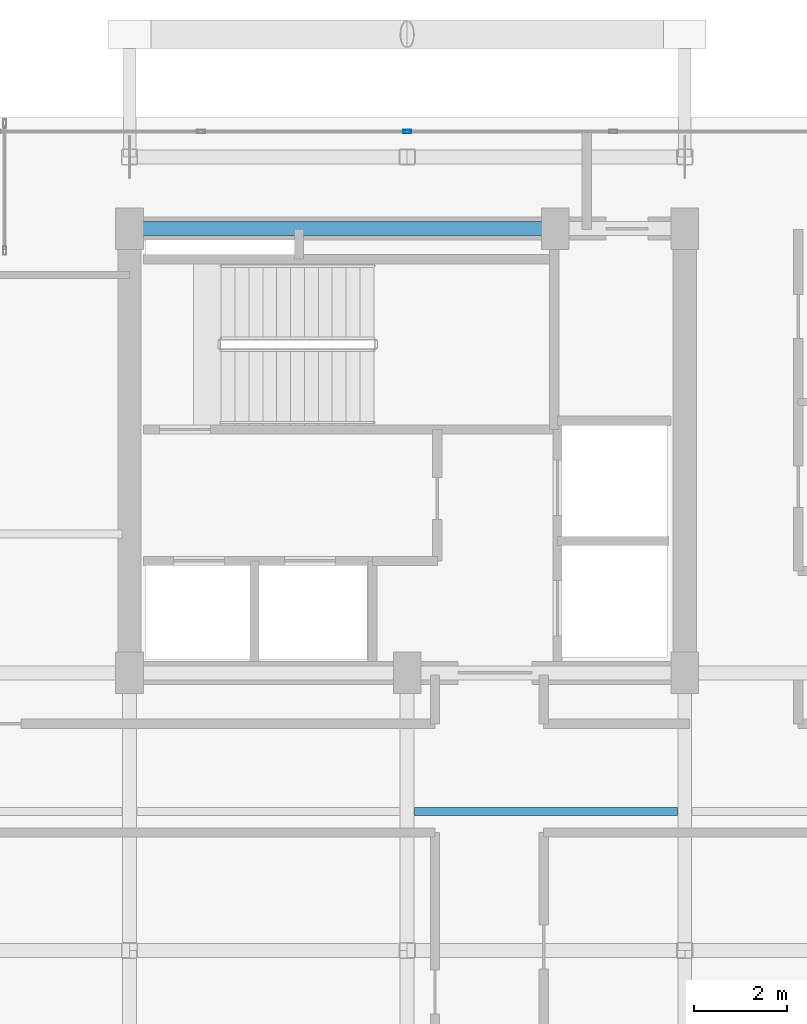
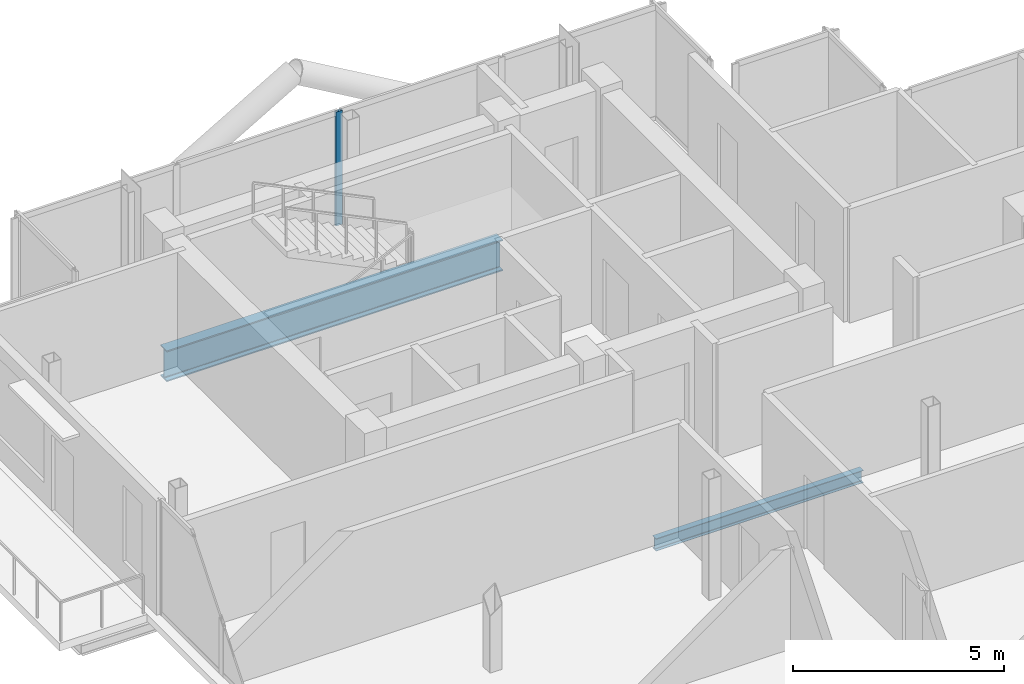
# One storey, part 9 of 19: 2 beams, 1 member, 1 element without a shape of its own.
"""IFC4 building model written with IfcOpenShell, lengths in metres."""

from ifc_helpers import new_model, si_unit, direction, frame, origin, origin_2d, place, context, subcontext, project, spatial, hollow_rectangle, i_section, extrude, material, layer, layer_set, material_profile, profile_set, type_object, element, aggregate, save


model = new_model("IFC4")

# Units and contexts
model_context = context("Model", 3, precision=1e-05, world=origin(), true_north=direction((0.0, 1.0)))
body_context = subcontext(model_context, "Body", "Model", "MODEL_VIEW")
ifc_project = project(units=[si_unit("LENGTHUNIT", "METRE"), si_unit("AREAUNIT", "SQUARE_METRE"), si_unit("VOLUMEUNIT", "CUBIC_METRE"), si_unit("PLANEANGLEUNIT", "RADIAN"), si_unit("MASSUNIT", "GRAM", prefix="KILO"), si_unit("THERMODYNAMICTEMPERATUREUNIT", "KELVIN"), si_unit("POWERUNIT", "WATT")], contexts=[model_context])

# Site, building, storey
site_placement = place(None, origin())
site = spatial("IfcSite", under=ifc_project, at=site_placement, CompositionType="ELEMENT")
building_placement = place(site_placement, origin())
building = spatial("IfcBuilding", under=site, at=building_placement, Name="Svarakhadi Broadcast Tower", CompositionType="ELEMENT")
storey_placement = place(building_placement, frame((0.0, 0.0, 271.199951171875)))
storey = spatial("IfcBuildingStorey", under=building, at=storey_placement, Name="L68", CompositionType="ELEMENT", Elevation=271.199951171875)

# Beam
ifc_material_1 = material(Name="Steel S355J2 (IS 2062 E350C)", Category="steel")
ifc_material_profile_1 = material_profile(ifc_material_1, i_section(OverallWidth=0.169921875, OverallDepth=0.360107421875, WebThickness=0.008056640625, FlangeThickness=0.0126953125, FilletRadius=0.01806640625, at=origin_2d()), Name="NPB 360x170x57")
ifc_profile_set_1 = profile_set([ifc_material_profile_1], Name="Steel S355J2 (IS 2062 E350C)")
beam_type_1 = type_object("IfcBeamType", Name="Beam_NPB360", PredefinedType="BEAM", material=ifc_profile_set_1)
beam_1_placement = place(storey_placement, frame((12.159912109375, 15.0, -0.3798828125), z_axis=(1.0, 0.0, 0.0), x_axis=(0.0, 1.0, 0.0)))
element("IfcBeam", 1, at=beam_1_placement, inside=storey, type_object=beam_type_1, Name="L68 Secondary Composite Beam SB009", PredefinedType="BEAM", context=body_context, shape_type="SweptSolid", body=[
    extrude(i_section(OverallWidth=0.169921875, OverallDepth=0.360107421875, WebThickness=0.008056640625, FlangeThickness=0.0126953125, FilletRadius=0.01806640625, at=origin_2d()), origin(), (0.0, 0.0, 1.0), 5.68017578125),
])

# Curtain wall, member
ifc_material_2 = material(Name="Anodised Bronze Aluminium AA 6063-T6", Category="aluminium")
ifc_layer = layer(ifc_material_2, 0.179931640625)
ifc_layer_set = layer_set([ifc_layer], Name="Anodised Bronze Aluminium AA 6063-T6")
curtain_wall_type = type_object("IfcCurtainWallType", Name="CW_Sys_05", PredefinedType="NOTDEFINED", material=ifc_layer_set)
curtain_wall_placement = place(storey_placement, origin())
curtain_wall = element("IfcCurtainWall", 2, at=curtain_wall_placement, inside=storey, type_object=curtain_wall_type, Name="L68 Unitised Facade Curtain Wall 05", PredefinedType="NOTDEFINED")
ifc_material_profile_2 = material_profile(ifc_material_2, hollow_rectangle(XDim=0.070068359375, YDim=0.179931640625, WallThickness=0.005615234375, at=origin_2d()), Name="ALU MULLION 180x70x6")
ifc_profile_set_2 = profile_set([ifc_material_profile_2], Name="Anodised Bronze Aluminium AA 6063-T6")
member_type = type_object("IfcMemberType", Name="CW_Sys_05_Mul", PredefinedType="MULLION", material=ifc_profile_set_2)
member_placement = place(storey_placement, frame((12.0, 29.699951171875, 0.0), z_axis=(0.0, 0.0, 1.0), x_axis=(0.0, 1.0, 0.0)))
member = element("IfcMember", 3, at=member_placement, type_object=member_type, Name="CW-05 mullion 3", PredefinedType="MULLION", context=body_context, shape_type="SweptSolid", body=[
    extrude(hollow_rectangle(XDim=0.070068359375, YDim=0.179931640625, WallThickness=0.005615234375, at=origin_2d()), origin(), (0.0, 0.0, 1.0), 3.300048828125),
])
aggregate(curtain_wall, [member])

# Beam
ifc_material_3 = material(Name="Steel S460ML (IS 2062 E450BR)", Category="steel")
ifc_material_profile_3 = material_profile(ifc_material_3, i_section(OverallWidth=0.300048828125, OverallDepth=0.89990234375, WebThickness=0.0185546875, FlangeThickness=0.034912109375, FilletRadius=0.030029296875, at=origin_2d()), Name="WPB 900x300x291")
ifc_profile_set_3 = profile_set([ifc_material_profile_3], Name="Steel S460ML (IS 2062 E450BR)")
beam_type_2 = type_object("IfcBeamType", Name="Girder_WPB900", PredefinedType="USERDEFINED", material=ifc_profile_set_3)
beam_2_placement = place(storey_placement, frame((6.0, 27.60009765625, -0.64990234375), z_axis=(1.0, 0.0, 0.0), x_axis=(0.0, 1.0, 0.0)))
element("IfcBeam", 4, at=beam_2_placement, inside=storey, type_object=beam_type_2, Name="L68 Primary E-W Girder G022", ObjectType="GIRDER", PredefinedType="USERDEFINED", context=body_context, shape_type="SweptSolid", body=[
    extrude(i_section(OverallWidth=0.300048828125, OverallDepth=0.89990234375, WebThickness=0.0185546875, FlangeThickness=0.034912109375, FilletRadius=0.030029296875, at=origin_2d()), origin(), (0.0, 0.0, 1.0), 9.199951171875),
])

save(model, "model.ifc")
